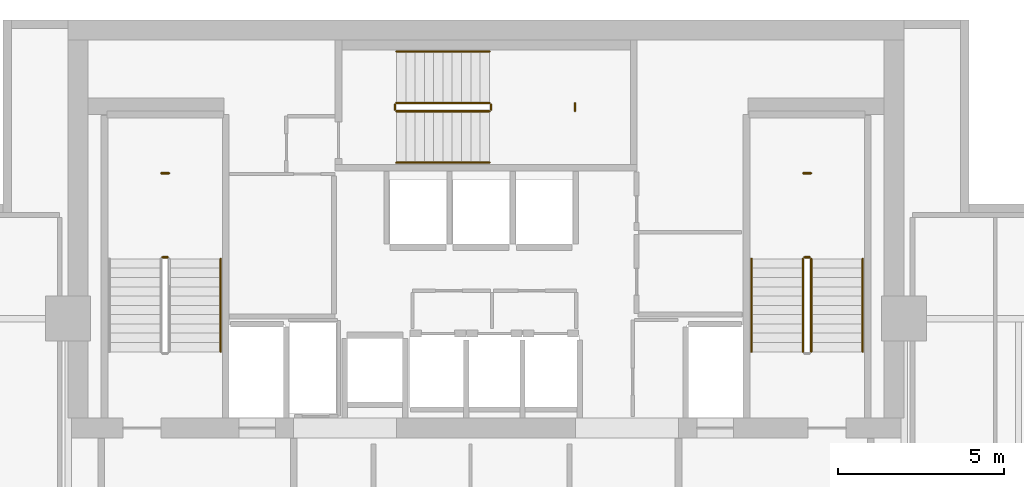
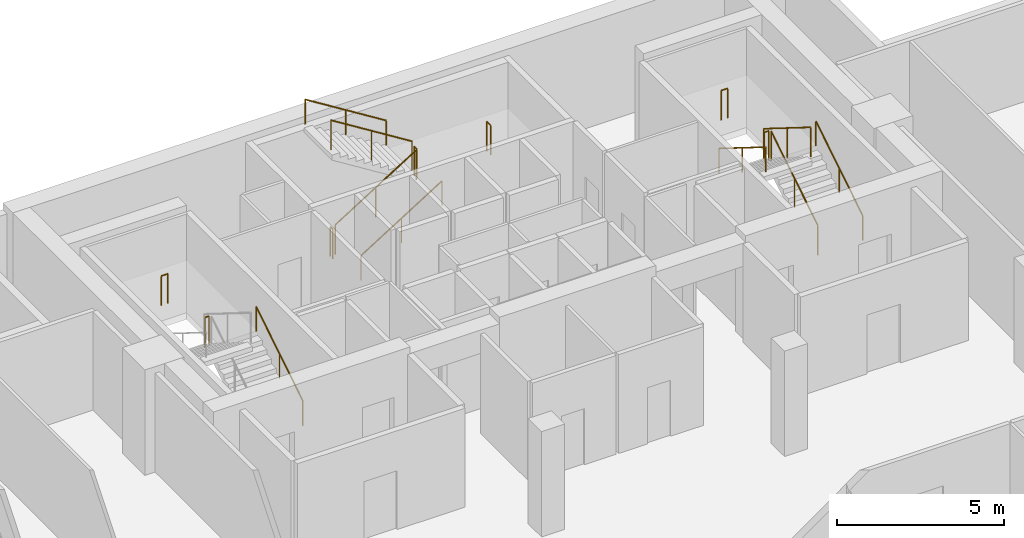
# One storey, part 23 of 23: 16 railings.
"""IFC4 building model written with IfcOpenShell, lengths in metres."""

from ifc_helpers import new_model, si_unit, direction, frame, origin, origin_2d, place, context, subcontext, project, spatial, circle, extrude, material, type_object, element, save


model = new_model("IFC4")

# Units and contexts
model_context = context("Model", 3, precision=1e-05, world=origin(), true_north=direction((0.0, 1.0)))
body_context = subcontext(model_context, "Body", "Model", "MODEL_VIEW")
ifc_project = project(units=[si_unit("LENGTHUNIT", "METRE"), si_unit("AREAUNIT", "SQUARE_METRE"), si_unit("VOLUMEUNIT", "CUBIC_METRE"), si_unit("PLANEANGLEUNIT", "RADIAN"), si_unit("MASSUNIT", "GRAM", prefix="KILO")], contexts=[model_context])

# Site, building, storey
site_placement = place(None, origin())
site = spatial("IfcSite", under=ifc_project, at=site_placement, CompositionType="ELEMENT")
building_placement = place(site_placement, origin())
building = spatial("IfcBuilding", under=site, at=building_placement, Name="Maruvema Waterfront Hotel and Observation Tower", CompositionType="ELEMENT")
storey_placement = place(building_placement, frame((0.0, 0.0, 337.39990234375)))
storey = spatial("IfcBuildingStorey", under=building, at=storey_placement, Name="L83", CompositionType="ELEMENT", Elevation=337.39990234375)

# Railings
ifc_material_1 = material(Name="Brushed stainless steel Grade 316", Category="steel")
railing_type_1 = type_object("IfcRailingType", Name="Ramp Continuous Wall Handrail 920 mm", PredefinedType="HANDRAIL", material=ifc_material_1)
railing_1_placement = place(storey_placement, frame((29.800048828125, 44.0, 0.175048828125)))
element("IfcRailing", 1, at=railing_1_placement, inside=storey, type_object=railing_type_1, Name="L83 ST-01 stair handrail 1", PredefinedType="HANDRAIL", context=body_context, shape_type="SweptSolid", body=[
    extrude(circle(Radius=0.02392578125, at=origin_2d()), frame((0.0, 0.0, 0.89599609375), z_axis=(0.0, 0.848002457836, 0.529992293815), x_axis=(-1.0, 0.0, 0.0)), (0.0, 0.0, 1.0), 3.302001953125),
    extrude(circle(Radius=0.02099609375, at=origin_2d()), origin(), (0.0, 0.0, 1.0), 0.871826171875),
    extrude(circle(Radius=0.02099609375, at=origin_2d()), frame((0.0, 1.39990234375, 0.875)), (0.0, 0.0, 1.0), 0.871826171875),
    extrude(circle(Radius=0.02099609375, at=origin_2d()), frame((0.0, 2.800048828125, 1.75)), (0.0, 0.0, 1.0), 0.871826171875),
])
railing_2_placement = place(storey_placement, frame((35.10009765625, 49.699951171875, 0.175048828125)))
element("IfcRailing", 2, at=railing_2_placement, inside=storey, type_object=railing_type_1, Name="L83 ST-02 stair handrail 1", PredefinedType="HANDRAIL", context=body_context, shape_type="SweptSolid", body=[
    extrude(circle(Radius=0.02392578125, at=origin_2d()), frame((0.0, 0.0, 0.89599609375), z_axis=(0.847981687118, 0.0, 0.530025526095), x_axis=(0.0, 1.0, 0.0)), (0.0, 0.0, 1.0), 3.3017578125),
    extrude(circle(Radius=0.02099609375, at=origin_2d()), origin(), (0.0, 0.0, 1.0), 0.871826171875),
    extrude(circle(Radius=0.02099609375, at=origin_2d()), frame((1.39990234375, 0.0, 0.875)), (0.0, 0.0, 1.0), 0.871826171875),
    extrude(circle(Radius=0.02099609375, at=origin_2d()), frame((2.7998046875, 0.0, 1.75)), (0.0, 0.0, 1.0), 0.871826171875),
])
railing_3_placement = place(storey_placement, frame((37.89990234375, 53.050048828125, 2.10009765625)))
element("IfcRailing", 3, at=railing_3_placement, inside=storey, type_object=railing_type_1, Name="L83 ST-02 stair handrail 2", PredefinedType="HANDRAIL", context=body_context, shape_type="SweptSolid", body=[
    extrude(circle(Radius=0.02392578125, at=origin_2d()), frame((0.0, 0.0, 0.89599609375), z_axis=(-0.847981687118, 0.0, 0.530025526095), x_axis=(0.0, -1.0, 0.0)), (0.0, 0.0, 1.0), 3.3017578125),
    extrude(circle(Radius=0.02099609375, at=origin_2d()), origin(), (0.0, 0.0, 1.0), 0.871826171875),
    extrude(circle(Radius=0.02099609375, at=origin_2d()), frame((-1.39990234375, 0.0, 0.875)), (0.0, 0.0, 1.0), 0.871826171875),
    extrude(circle(Radius=0.02099609375, at=origin_2d()), frame((-2.7998046875, 0.0, 1.75)), (0.0, 0.0, 1.0), 0.871826171875),
])
railing_4_placement = place(storey_placement, frame((49.14990234375, 44.0, 0.175048828125)))
element("IfcRailing", 4, at=railing_4_placement, inside=storey, type_object=railing_type_1, Name="L83 ST-03 stair handrail 1", PredefinedType="HANDRAIL", context=body_context, shape_type="SweptSolid", body=[
    extrude(circle(Radius=0.02392578125, at=origin_2d()), frame((0.0, 0.0, 0.89599609375), z_axis=(0.0, 0.848002457836, 0.529992293815), x_axis=(-1.0, 0.0, 0.0)), (0.0, 0.0, 1.0), 3.302001953125),
    extrude(circle(Radius=0.02099609375, at=origin_2d()), origin(), (0.0, 0.0, 1.0), 0.871826171875),
    extrude(circle(Radius=0.02099609375, at=origin_2d()), frame((0.0, 1.39990234375, 0.875)), (0.0, 0.0, 1.0), 0.871826171875),
    extrude(circle(Radius=0.02099609375, at=origin_2d()), frame((0.0, 2.800048828125, 1.75)), (0.0, 0.0, 1.0), 0.871826171875),
])
railing_5_placement = place(storey_placement, frame((45.800048828125, 46.800048828125, 2.10009765625)))
element("IfcRailing", 5, at=railing_5_placement, inside=storey, type_object=railing_type_1, Name="L83 ST-03 stair handrail 2", PredefinedType="HANDRAIL", context=body_context, shape_type="SweptSolid", body=[
    extrude(circle(Radius=0.02392578125, at=origin_2d()), frame((0.0, 0.0, 0.89599609375), z_axis=(0.0, -0.848002457836, 0.529992293815), x_axis=(1.0, 0.0, 0.0)), (0.0, 0.0, 1.0), 3.302001953125),
    extrude(circle(Radius=0.02099609375, at=origin_2d()), origin(), (0.0, 0.0, 1.0), 0.871826171875),
    extrude(circle(Radius=0.02099609375, at=origin_2d()), frame((0.0, -1.39990234375, 0.875)), (0.0, 0.0, 1.0), 0.871826171875),
    extrude(circle(Radius=0.02099609375, at=origin_2d()), frame((0.0, -2.800048828125, 1.75)), (0.0, 0.0, 1.0), 0.871826171875),
])
ifc_material_2 = material(Name="Brushed stainless steel Grade 316", Category="steel")
railing_type_2 = type_object("IfcRailingType", Name="Ramp and Terrace Guard Balustrade 1100 mm", PredefinedType="BALUSTRADE", material=ifc_material_2)
railing_6_placement = place(storey_placement, frame((28.199951171875, 46.85009765625, 1.925048828125)))
element("IfcRailing", 6, at=railing_6_placement, inside=storey, type_object=railing_type_2, Name="L83 ST-01 stair guard 2", PredefinedType="BALUSTRADE", context=body_context, shape_type="SweptSolid", body=[
    extrude(circle(Radius=0.02392578125, at=origin_2d()), frame((0.0, 0.0, 1.076171875), z_axis=(-1.0, 0.0, 0.0), x_axis=(0.0, -1.0, 0.0)), (0.0, 0.0, 1.0), 0.14990234375),
    extrude(circle(Radius=0.02099609375, at=origin_2d()), origin(), (0.0, 0.0, 1.0), 1.052001953125),
    extrude(circle(Radius=0.02099609375, at=origin_2d()), frame((-0.14990234375, 0.0, 0.0)), (0.0, 0.0, 1.0), 1.052001953125),
])
railing_7_placement = place(storey_placement, frame((28.239990234375, 49.3798828125, 1.925048828125)))
element("IfcRailing", 7, at=railing_7_placement, inside=storey, type_object=railing_type_2, Name="L83 ST-01 Half-Landing Slot Guard", PredefinedType="BALUSTRADE", context=body_context, shape_type="SweptSolid", body=[
    extrude(circle(Radius=0.02392578125, at=origin_2d()), frame((0.0, 0.0, 1.076171875), z_axis=(-1.0, 0.0, 0.0), x_axis=(0.0, -1.0, 0.0)), (0.0, 0.0, 1.0), 0.22998046875),
    extrude(circle(Radius=0.02099609375, at=origin_2d()), origin(), (0.0, 0.0, 1.0), 1.052001953125),
    extrude(circle(Radius=0.02099609375, at=origin_2d()), frame((-0.22998046875, 0.0, 0.0)), (0.0, 0.0, 1.0), 1.052001953125),
])
railing_8_placement = place(storey_placement, frame((35.10009765625, 51.25, 0.175048828125)))
element("IfcRailing", 8, at=railing_8_placement, inside=storey, type_object=railing_type_2, Name="L83 ST-02 stair guard 1", PredefinedType="BALUSTRADE", context=body_context, shape_type="SweptSolid", body=[
    extrude(circle(Radius=0.02392578125, at=origin_2d()), frame((0.0, 0.0, 1.076171875), z_axis=(0.847981687118, 0.0, 0.530025526095), x_axis=(0.0, 1.0, 0.0)), (0.0, 0.0, 1.0), 3.3017578125),
    extrude(circle(Radius=0.02099609375, at=origin_2d()), origin(), (0.0, 0.0, 1.0), 1.052001953125),
    extrude(circle(Radius=0.02099609375, at=origin_2d()), frame((1.39990234375, 0.0, 0.875)), (0.0, 0.0, 1.0), 1.052001953125),
    extrude(circle(Radius=0.02099609375, at=origin_2d()), frame((2.7998046875, 0.0, 1.75)), (0.0, 0.0, 1.0), 1.052001953125),
])
railing_9_placement = place(storey_placement, frame((37.949951171875, 51.300048828125, 1.925048828125)))
element("IfcRailing", 9, at=railing_9_placement, inside=storey, type_object=railing_type_2, Name="L83 ST-02 stair guard 2", PredefinedType="BALUSTRADE", context=body_context, shape_type="SweptSolid", body=[
    extrude(circle(Radius=0.02392578125, at=origin_2d()), frame((0.0, 0.0, 1.076171875), z_axis=(0.0, 1.0, 0.0), x_axis=(-1.0, 0.0, 0.0)), (0.0, 0.0, 1.0), 0.14990234375),
    extrude(circle(Radius=0.02099609375, at=origin_2d()), origin(), (0.0, 0.0, 1.0), 1.052001953125),
    extrude(circle(Radius=0.02099609375, at=origin_2d()), frame((0.0, 0.14990234375, 0.0)), (0.0, 0.0, 1.0), 1.052001953125),
])
railing_10_placement = place(storey_placement, frame((37.89990234375, 51.5, 2.10009765625)))
element("IfcRailing", 10, at=railing_10_placement, inside=storey, type_object=railing_type_2, Name="L83 ST-02 stair guard 3", PredefinedType="BALUSTRADE", context=body_context, shape_type="SweptSolid", body=[
    extrude(circle(Radius=0.02392578125, at=origin_2d()), frame((0.0, 0.0, 1.076171875), z_axis=(-0.847981687118, 0.0, 0.530025526095), x_axis=(0.0, -1.0, 0.0)), (0.0, 0.0, 1.0), 3.3017578125),
    extrude(circle(Radius=0.02099609375, at=origin_2d()), origin(), (0.0, 0.0, 1.0), 1.052001953125),
    extrude(circle(Radius=0.02099609375, at=origin_2d()), frame((-1.39990234375, 0.0, 0.875)), (0.0, 0.0, 1.0), 1.052001953125),
    extrude(circle(Radius=0.02099609375, at=origin_2d()), frame((-2.7998046875, 0.0, 1.75)), (0.0, 0.0, 1.0), 1.052001953125),
])
railing_11_placement = place(storey_placement, frame((35.050048828125, 51.300048828125, 0.0)))
element("IfcRailing", 11, at=railing_11_placement, inside=storey, type_object=railing_type_2, Name="L83 ST-02 stair guard 4", PredefinedType="BALUSTRADE", context=body_context, shape_type="SweptSolid", body=[
    extrude(circle(Radius=0.02392578125, at=origin_2d()), frame((0.0, 0.0, 1.076171875), z_axis=(0.0, 1.0, 0.0), x_axis=(-1.0, 0.0, 0.0)), (0.0, 0.0, 1.0), 0.14990234375),
    extrude(circle(Radius=0.02099609375, at=origin_2d()), origin(), (0.0, 0.0, 1.0), 1.052001953125),
    extrude(circle(Radius=0.02099609375, at=origin_2d()), frame((0.0, 0.14990234375, 0.0)), (0.0, 0.0, 1.0), 1.052001953125),
])
railing_12_placement = place(storey_placement, frame((40.47998046875, 51.260009765625, 1.925048828125)))
element("IfcRailing", 12, at=railing_12_placement, inside=storey, type_object=railing_type_2, Name="L83 ST-02 Half-Landing Slot Guard", PredefinedType="BALUSTRADE", context=body_context, shape_type="SweptSolid", body=[
    extrude(circle(Radius=0.02392578125, at=origin_2d()), frame((0.0, 0.0, 1.076171875), z_axis=(0.0, 1.0, 0.0), x_axis=(-1.0, 0.0, 0.0)), (0.0, 0.0, 1.0), 0.22998046875),
    extrude(circle(Radius=0.02099609375, at=origin_2d()), origin(), (0.0, 0.0, 1.0), 1.052001953125),
    extrude(circle(Radius=0.02099609375, at=origin_2d()), frame((0.0, 0.22998046875, 0.0)), (0.0, 0.0, 1.0), 1.052001953125),
])
railing_13_placement = place(storey_placement, frame((47.60009765625, 44.0, 0.175048828125)))
element("IfcRailing", 13, at=railing_13_placement, inside=storey, type_object=railing_type_2, Name="L83 ST-03 stair guard 1", PredefinedType="BALUSTRADE", context=body_context, shape_type="SweptSolid", body=[
    extrude(circle(Radius=0.02392578125, at=origin_2d()), frame((0.0, 0.0, 1.076171875), z_axis=(0.0, 0.848002457836, 0.529992293815), x_axis=(-1.0, 0.0, 0.0)), (0.0, 0.0, 1.0), 3.302001953125),
    extrude(circle(Radius=0.02099609375, at=origin_2d()), origin(), (0.0, 0.0, 1.0), 1.052001953125),
    extrude(circle(Radius=0.02099609375, at=origin_2d()), frame((0.0, 1.39990234375, 0.875)), (0.0, 0.0, 1.0), 1.052001953125),
    extrude(circle(Radius=0.02099609375, at=origin_2d()), frame((0.0, 2.800048828125, 1.75)), (0.0, 0.0, 1.0), 1.052001953125),
])
railing_14_placement = place(storey_placement, frame((47.550048828125, 46.85009765625, 1.925048828125)))
element("IfcRailing", 14, at=railing_14_placement, inside=storey, type_object=railing_type_2, Name="L83 ST-03 stair guard 2", PredefinedType="BALUSTRADE", context=body_context, shape_type="SweptSolid", body=[
    extrude(circle(Radius=0.02392578125, at=origin_2d()), frame((0.0, 0.0, 1.076171875), z_axis=(-1.0, 0.0, 0.0), x_axis=(0.0, -1.0, 0.0)), (0.0, 0.0, 1.0), 0.150146484375),
    extrude(circle(Radius=0.02099609375, at=origin_2d()), origin(), (0.0, 0.0, 1.0), 1.052001953125),
    extrude(circle(Radius=0.02099609375, at=origin_2d()), frame((-0.150146484375, 0.0, 0.0)), (0.0, 0.0, 1.0), 1.052001953125),
])
railing_15_placement = place(storey_placement, frame((47.35009765625, 46.800048828125, 2.10009765625)))
element("IfcRailing", 15, at=railing_15_placement, inside=storey, type_object=railing_type_2, Name="L83 ST-03 stair guard 3", PredefinedType="BALUSTRADE", context=body_context, shape_type="SweptSolid", body=[
    extrude(circle(Radius=0.02392578125, at=origin_2d()), frame((0.0, 0.0, 1.076171875), z_axis=(0.0, -0.848002457836, 0.529992293815), x_axis=(1.0, 0.0, 0.0)), (0.0, 0.0, 1.0), 3.302001953125),
    extrude(circle(Radius=0.02099609375, at=origin_2d()), origin(), (0.0, 0.0, 1.0), 1.052001953125),
    extrude(circle(Radius=0.02099609375, at=origin_2d()), frame((0.0, -1.39990234375, 0.875)), (0.0, 0.0, 1.0), 1.052001953125),
    extrude(circle(Radius=0.02099609375, at=origin_2d()), frame((0.0, -2.800048828125, 1.75)), (0.0, 0.0, 1.0), 1.052001953125),
])
railing_16_placement = place(storey_placement, frame((47.590087890625, 49.3798828125, 1.925048828125)))
element("IfcRailing", 16, at=railing_16_placement, inside=storey, type_object=railing_type_2, Name="L83 ST-03 Half-Landing Slot Guard", PredefinedType="BALUSTRADE", context=body_context, shape_type="SweptSolid", body=[
    extrude(circle(Radius=0.02392578125, at=origin_2d()), frame((0.0, 0.0, 1.076171875), z_axis=(-1.0, 0.0, 0.0), x_axis=(0.0, -1.0, 0.0)), (0.0, 0.0, 1.0), 0.22998046875),
    extrude(circle(Radius=0.02099609375, at=origin_2d()), origin(), (0.0, 0.0, 1.0), 1.052001953125),
    extrude(circle(Radius=0.02099609375, at=origin_2d()), frame((-0.22998046875, 0.0, 0.0)), (0.0, 0.0, 1.0), 1.052001953125),
])

save(model, "model.ifc")
